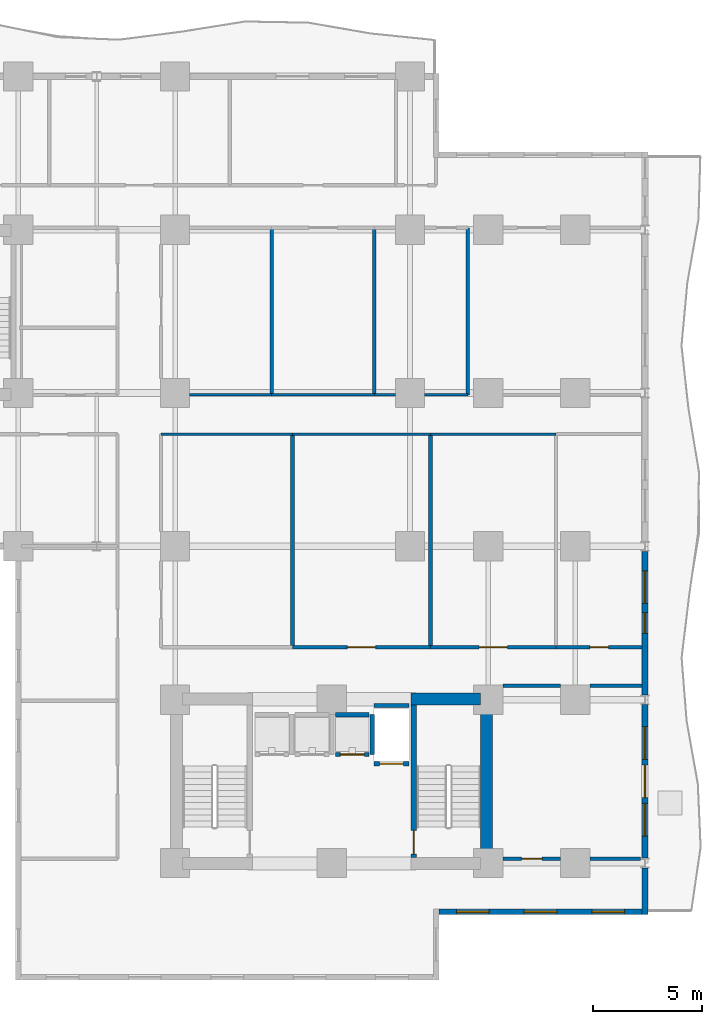
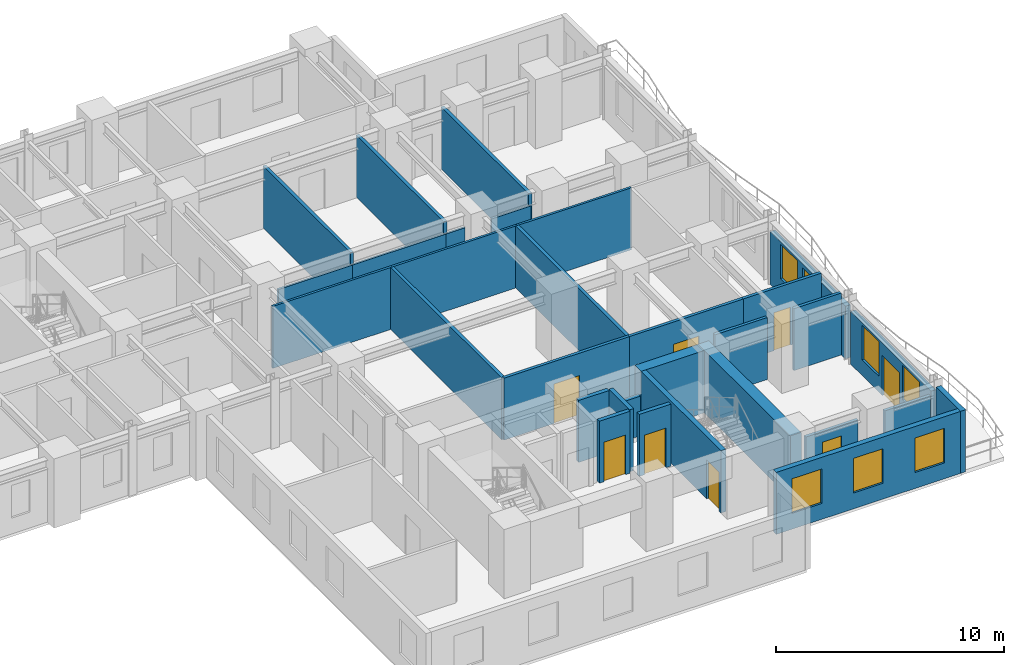
# One storey, part 5 of 12: 31 walls, 8 doors, 7 windows, 15 openings.
"""IFC4 building model written with IfcOpenShell, lengths in metres."""

from ifc_helpers import new_model, si_unit, direction, frame, frame_2d, origin, place, context, subcontext, project, spatial, rectangle, extrude, material, layer, layer_set, type_object, element, fill, save


model = new_model("IFC4")

# Units and contexts
model_context = context("Model", 3, precision=1e-05, world=origin(), true_north=direction((0.0, 1.0)))
body_context = subcontext(model_context, "Body", "Model", "MODEL_VIEW")
ifc_project = project(units=[si_unit("LENGTHUNIT", "METRE"), si_unit("AREAUNIT", "SQUARE_METRE"), si_unit("VOLUMEUNIT", "CUBIC_METRE"), si_unit("PLANEANGLEUNIT", "RADIAN"), si_unit("MASSUNIT", "GRAM", prefix="KILO")], contexts=[model_context])

# Site, building, storey
site_placement = place(None, origin())
site = spatial("IfcSite", under=ifc_project, at=site_placement, CompositionType="ELEMENT")
building_placement = place(site_placement, origin())
building = spatial("IfcBuilding", under=site, at=building_placement, Name="Kaliganga Portal Commons", CompositionType="ELEMENT")
storey_placement = place(building_placement, frame((0.0, 0.0, 69.699951171875)))
storey = spatial("IfcBuildingStorey", under=building, at=storey_placement, Name="L17", CompositionType="ELEMENT", Elevation=69.699951171875)

# Walls
ifc_material_1 = material(Name="Concrete C60/75", Category="concrete")
ifc_layer_1 = layer(ifc_material_1, 0.550048828125)
ifc_layer_set_1 = layer_set([ifc_layer_1], Name="Concrete C60/75")
wall_type_1 = type_object("IfcWallType", Name="WL-CORE-550", PredefinedType="SHEAR", material=ifc_layer_set_1)
wall_1_placement = place(storey_placement, frame((50.324951171875, 6.75, 0.0), z_axis=(0.0, 0.0, 1.0), x_axis=(0.0, 1.0, 0.0)))
element("IfcWall", 1, at=wall_1_placement, inside=storey, type_object=wall_type_1, Name="Core B East Shear Wall L17", PredefinedType="SHEAR", context=body_context, shape_type="SweptSolid", body=[
    extrude(rectangle(XDim=8.10009765625, YDim=0.550048828125, at=frame_2d((4.050048828125, 0.0))), origin(), (0.0, 0.0, 1.0), 3.340087890625),
])
wall_2_placement = place(storey_placement, frame((46.85009765625, 14.574951171875, 0.0), z_axis=(0.0, 0.0, 1.0), x_axis=(1.0, 0.0, 0.0)))
element("IfcWall", 2, at=wall_2_placement, inside=storey, type_object=wall_type_1, Name="Core B N-East Shear Wall L17", PredefinedType="SHEAR", context=body_context, shape_type="SweptSolid", body=[
    extrude(rectangle(XDim=3.199951171875, YDim=0.550048828125, at=frame_2d((1.60009765625, 0.0))), origin(), (0.0, 0.0, 1.0), 3.340087890625),
])

# Wall, openings, windows
ifc_material_2 = material(Name="Insulated Aluminium-Clad Spandrel Assembly", Category="aluminium")
ifc_layer_2 = layer(ifc_material_2, 0.260009765625)
ifc_layer_set_2 = layer_set([ifc_layer_2], Name="Insulated Aluminium-Clad Spandrel Assembly")
wall_type_2 = type_object("IfcWallType", Name="WL-EXT-SPAND-260", PredefinedType="STANDARD", material=ifc_layer_set_2)
wall_3_placement = place(storey_placement, frame((57.465087890625, 4.800048828125, 0.0), z_axis=(0.0, 0.0, 1.0), x_axis=(-1.0, 0.0, 0.0)))
wall_3 = element("IfcWall", 3, at=wall_3_placement, inside=storey, type_object=wall_type_2, Name="Exterior Envelope Wall L17 P1-E02-S1", PredefinedType="STANDARD", context=body_context, shape_type="SweptSolid", body=[
    extrude(rectangle(XDim=9.330078125, YDim=0.260009765625, at=frame_2d((4.6650390625, 0.0))), origin(), (0.0, 0.0, 1.0), 3.320068359375),
])
opening_1_placement = place(wall_3_placement, frame((0.804931640625, 0.0, 0.85009765625)))
opening_1 = element("IfcOpeningElement", 4, at=opening_1_placement, cuts=wall_3, Name="Opening W-02", PredefinedType="OPENING", context=body_context, shape_type="SweptSolid", body=[
    extrude(rectangle(XDim=1.5, YDim=1.85009765625, at=frame_2d((0.75, 0.925048828125))), frame((0.0, 0.14013671875, 0.0), z_axis=(0.0, -1.0, 0.0), x_axis=(1.0, 0.0, 0.0)), (0.0, 0.0, 1.0), 0.280029296875),
])
opening_2_placement = place(wall_3_placement, frame((3.9150390625, 0.0, 0.85009765625)))
opening_2 = element("IfcOpeningElement", 5, at=opening_2_placement, cuts=wall_3, Name="Opening W-02", PredefinedType="OPENING", context=body_context, shape_type="SweptSolid", body=[
    extrude(rectangle(XDim=1.5, YDim=1.85009765625, at=frame_2d((0.75, 0.925048828125))), frame((0.0, 0.14013671875, 0.0), z_axis=(0.0, -1.0, 0.0), x_axis=(1.0, 0.0, 0.0)), (0.0, 0.0, 1.0), 0.280029296875),
])
opening_3_placement = place(wall_3_placement, frame((7.02490234375, 0.0, 0.85009765625)))
opening_3 = element("IfcOpeningElement", 6, at=opening_3_placement, cuts=wall_3, Name="Opening W-02", PredefinedType="OPENING", context=body_context, shape_type="SweptSolid", body=[
    extrude(rectangle(XDim=1.5, YDim=1.85009765625, at=frame_2d((0.75, 0.925048828125))), frame((0.0, 0.14013671875, 0.0), z_axis=(0.0, -1.0, 0.0), x_axis=(1.0, 0.0, 0.0)), (0.0, 0.0, 1.0), 0.280029296875),
])
ifc_material_3 = material(Name="Thermally Broken Aluminium and Low-E Double Glazing", Category="aluminium")
window_type_1 = type_object("IfcWindowType", Name="WIN-STD-1500", PartitioningType="DOUBLE_PANEL_VERTICAL", PredefinedType="WINDOW", material=ifc_material_3)
window_1_placement = place(opening_1_placement, origin())
window_1 = element("IfcWindow", 7, at=window_1_placement, inside=storey, type_object=window_type_1, Name="Facade Window L17-P1E02S1-00", OverallHeight=1.85009765625, OverallWidth=1.5, PartitioningType="SINGLE_PANEL", PredefinedType="WINDOW", context=body_context, shape_type="SweptSolid", body=[
    extrude(rectangle(XDim=1.5, YDim=1.85009765625, at=frame_2d((0.75, 0.925048828125))), frame((0.0, 0.030029296875, 0.0), z_axis=(0.0, -1.0, 0.0), x_axis=(1.0, 0.0, 0.0)), (0.0, 0.0, 1.0), 0.06005859375),
])
fill(opening_1, window_1)
window_2_placement = place(opening_2_placement, origin())
window_2 = element("IfcWindow", 8, at=window_2_placement, inside=storey, type_object=window_type_1, Name="Facade Window L17-P1E02S1-01", OverallHeight=1.85009765625, OverallWidth=1.5, PartitioningType="SINGLE_PANEL", PredefinedType="WINDOW", context=body_context, shape_type="SweptSolid", body=[
    extrude(rectangle(XDim=1.5, YDim=1.85009765625, at=frame_2d((0.75, 0.925048828125))), frame((0.0, 0.030029296875, 0.0), z_axis=(0.0, -1.0, 0.0), x_axis=(1.0, 0.0, 0.0)), (0.0, 0.0, 1.0), 0.06005859375),
])
fill(opening_2, window_2)
window_3_placement = place(opening_3_placement, origin())
window_3 = element("IfcWindow", 9, at=window_3_placement, inside=storey, type_object=window_type_1, Name="Facade Window L17-P1E02S1-02", OverallHeight=1.85009765625, OverallWidth=1.5, PartitioningType="SINGLE_PANEL", PredefinedType="WINDOW", context=body_context, shape_type="SweptSolid", body=[
    extrude(rectangle(XDim=1.5, YDim=1.85009765625, at=frame_2d((0.75, 0.925048828125))), frame((0.0, 0.030029296875, 0.0), z_axis=(0.0, -1.0, 0.0), x_axis=(1.0, 0.0, 0.0)), (0.0, 0.0, 1.0), 0.06005859375),
])
fill(opening_3, window_3)

# Wall
wall_4_placement = place(storey_placement, frame((57.60009765625, 6.825927734375, 0.0), z_axis=(0.0, 0.0, 1.0), x_axis=(0.0, -1.0, 0.0)))
element("IfcWall", 10, at=wall_4_placement, inside=storey, type_object=wall_type_2, Name="Exterior Envelope Wall L17 P1-E03-S1", PredefinedType="STANDARD", context=body_context, shape_type="SweptSolid", body=[
    extrude(rectangle(XDim=2.156005859375, YDim=0.260009765625, at=frame_2d((1.078125, 0.0))), origin(), (0.0, 0.0, 1.0), 3.320068359375),
])

# Wall, openings, door, windows
wall_5_placement = place(storey_placement, frame((57.60009765625, 14.325927734375, 0.0), z_axis=(0.0, 0.0, 1.0), x_axis=(0.0, -1.0, 0.0)))
wall_5 = element("IfcWall", 11, at=wall_5_placement, inside=storey, type_object=wall_type_2, Name="Exterior Envelope Wall L17 P1-E03-S2", PredefinedType="STANDARD", context=body_context, shape_type="SweptSolid", body=[
    extrude(rectangle(XDim=7.052001953125, YDim=0.260009765625, at=frame_2d((3.52587890625, 0.0))), origin(), (0.0, 0.0, 1.0), 2.820068359375),
])
opening_4_placement = place(wall_5_placement, frame((2.77587890625, 0.0, 0.0)))
opening_4 = element("IfcOpeningElement", 12, at=opening_4_placement, cuts=wall_5, Name="Opening BD-01", PredefinedType="OPENING", context=body_context, shape_type="SweptSolid", body=[
    extrude(rectangle(XDim=1.5, YDim=2.14990234375, at=frame_2d((0.75, 1.074951171875))), frame((0.0, 0.14013671875, 0.0), z_axis=(0.0, -1.0, 0.0), x_axis=(1.0, 0.0, 0.0)), (0.0, 0.0, 1.0), 0.280029296875),
])
opening_5_placement = place(wall_5_placement, frame((1.012939453125, 0.0, 0.85009765625)))
opening_5 = element("IfcOpeningElement", 13, at=opening_5_placement, cuts=wall_5, Name="Opening W-02", PredefinedType="OPENING", context=body_context, shape_type="SweptSolid", body=[
    extrude(rectangle(XDim=1.5, YDim=1.85009765625, at=frame_2d((0.75, 0.925048828125))), frame((0.0, 0.14013671875, 0.0), z_axis=(0.0, -1.0, 0.0), x_axis=(1.0, 0.0, 0.0)), (0.0, 0.0, 1.0), 0.280029296875),
])
opening_6_placement = place(wall_5_placement, frame((4.5390625, 0.0, 0.85009765625)))
opening_6 = element("IfcOpeningElement", 14, at=opening_6_placement, cuts=wall_5, Name="Opening W-02", PredefinedType="OPENING", context=body_context, shape_type="SweptSolid", body=[
    extrude(rectangle(XDim=1.5, YDim=1.85009765625, at=frame_2d((0.75, 0.925048828125))), frame((0.0, 0.14013671875, 0.0), z_axis=(0.0, -1.0, 0.0), x_axis=(1.0, 0.0, 0.0)), (0.0, 0.0, 1.0), 0.280029296875),
])
ifc_material_4 = material(Name="Anodized Aluminium and Laminated Safety Glass", Category="aluminium")
door_type_1 = type_object("IfcDoorType", Name="DR-BALC-1500", OperationType="SLIDING_TO_LEFT", PredefinedType="DOOR", material=ifc_material_4)
door_1_placement = place(opening_4_placement, origin())
door_1 = element("IfcDoor", 15, at=door_1_placement, inside=storey, type_object=door_type_1, Name="Balcony Sliding Door L17 balc_east", OperationType="SLIDING_TO_LEFT", OverallHeight=2.14990234375, OverallWidth=1.5, PredefinedType="DOOR", context=body_context, shape_type="SweptSolid", body=[
    extrude(rectangle(XDim=1.5, YDim=2.14990234375, at=frame_2d((0.75, 1.074951171875))), frame((0.0, 0.02490234375, 0.0), z_axis=(0.0, -1.0, 0.0), x_axis=(1.0, 0.0, 0.0)), (0.0, 0.0, 1.0), 0.050048828125),
])
fill(opening_4, door_1)
window_4_placement = place(opening_5_placement, origin())
window_4 = element("IfcWindow", 16, at=window_4_placement, inside=storey, type_object=window_type_1, Name="Facade Window L17-P1E03S2-00", OverallHeight=1.85009765625, OverallWidth=1.5, PartitioningType="SINGLE_PANEL", PredefinedType="WINDOW", context=body_context, shape_type="SweptSolid", body=[
    extrude(rectangle(XDim=1.5, YDim=1.85009765625, at=frame_2d((0.75, 0.925048828125))), frame((0.0, 0.030029296875, 0.0), z_axis=(0.0, -1.0, 0.0), x_axis=(1.0, 0.0, 0.0)), (0.0, 0.0, 1.0), 0.06005859375),
])
fill(opening_5, window_4)
window_5_placement = place(opening_6_placement, origin())
window_5 = element("IfcWindow", 17, at=window_5_placement, inside=storey, type_object=window_type_1, Name="Facade Window L17-P1E03S2-01", OverallHeight=1.85009765625, OverallWidth=1.5, PartitioningType="SINGLE_PANEL", PredefinedType="WINDOW", context=body_context, shape_type="SweptSolid", body=[
    extrude(rectangle(XDim=1.5, YDim=1.85009765625, at=frame_2d((0.75, 0.925048828125))), frame((0.0, 0.030029296875, 0.0), z_axis=(0.0, -1.0, 0.0), x_axis=(1.0, 0.0, 0.0)), (0.0, 0.0, 1.0), 0.06005859375),
])
fill(opening_6, window_5)

# Wall, openings, windows
wall_6_placement = place(storey_placement, frame((57.60009765625, 21.3759765625, 0.0), z_axis=(0.0, 0.0, 1.0), x_axis=(0.0, -1.0, 0.0)))
wall_6 = element("IfcWall", 18, at=wall_6_placement, inside=storey, type_object=wall_type_2, Name="Exterior Envelope Wall L17 P1-E03-S3", PredefinedType="STANDARD", context=body_context, shape_type="SweptSolid", body=[
    extrude(rectangle(XDim=6.60205078125, YDim=0.260009765625, at=frame_2d((3.301025390625, 0.0))), origin(), (0.0, 0.0, 1.0), 2.820068359375),
])
opening_7_placement = place(wall_6_placement, frame((0.900390625, 0.0, 0.85009765625)))
opening_7 = element("IfcOpeningElement", 19, at=opening_7_placement, cuts=wall_6, Name="Opening W-02", PredefinedType="OPENING", context=body_context, shape_type="SweptSolid", body=[
    extrude(rectangle(XDim=1.5, YDim=1.85009765625, at=frame_2d((0.75, 0.925048828125))), frame((0.0, 0.14013671875, 0.0), z_axis=(0.0, -1.0, 0.0), x_axis=(1.0, 0.0, 0.0)), (0.0, 0.0, 1.0), 0.280029296875),
])
opening_8_placement = place(wall_6_placement, frame((2.825927734375, 0.0, 0.85009765625)))
opening_8 = element("IfcOpeningElement", 20, at=opening_8_placement, cuts=wall_6, Name="Opening W-04", PredefinedType="OPENING", context=body_context, shape_type="SweptSolid", body=[
    extrude(rectangle(XDim=0.949951171875, YDim=1.75, at=frame_2d((0.47509765625, 0.875))), frame((0.0, 0.14013671875, 0.0), z_axis=(0.0, -1.0, 0.0), x_axis=(1.0, 0.0, 0.0)), (0.0, 0.0, 1.0), 0.280029296875),
])
window_type_2 = type_object("IfcWindowType", Name="WIN-NARROW-950", PartitioningType="SINGLE_PANEL", PredefinedType="WINDOW", material=ifc_material_3)
window_6_placement = place(opening_8_placement, origin())
window_6 = element("IfcWindow", 21, at=window_6_placement, inside=storey, type_object=window_type_2, Name="Facade Window L17-P1E03S3-N0", OverallHeight=1.75, OverallWidth=0.949951171875, PartitioningType="SINGLE_PANEL", PredefinedType="WINDOW", context=body_context, shape_type="SweptSolid", body=[
    extrude(rectangle(XDim=0.949951171875, YDim=1.75, at=frame_2d((0.47509765625, 0.875))), frame((0.0, 0.030029296875, 0.0), z_axis=(0.0, -1.0, 0.0), x_axis=(1.0, 0.0, 0.0)), (0.0, 0.0, 1.0), 0.06005859375),
])
fill(opening_8, window_6)
window_7_placement = place(opening_7_placement, origin())
window_7 = element("IfcWindow", 22, at=window_7_placement, inside=storey, type_object=window_type_1, Name="Facade Window L17-P1E03S3-00", OverallHeight=1.85009765625, OverallWidth=1.5, PartitioningType="SINGLE_PANEL", PredefinedType="WINDOW", context=body_context, shape_type="SweptSolid", body=[
    extrude(rectangle(XDim=1.5, YDim=1.85009765625, at=frame_2d((0.75, 0.925048828125))), frame((0.0, 0.030029296875, 0.0), z_axis=(0.0, -1.0, 0.0), x_axis=(1.0, 0.0, 0.0)), (0.0, 0.0, 1.0), 0.06005859375),
])
fill(opening_7, window_7)

# Wall, opening, door
ifc_material_5 = material(Name="Fire-Rated Gypsum Board on Steel Stud", Category="steel")
ifc_layer_3 = layer(ifc_material_5, 0.14990234375)
ifc_layer_set_3 = layer_set([ifc_layer_3], Name="Fire-Rated Gypsum Board on Steel Stud")
wall_type_3 = type_object("IfcWallType", Name="WL-PART-CORR-150", PredefinedType="PARTITIONING", material=ifc_layer_set_3)
wall_7_placement = place(storey_placement, frame((51.074951171875, 7.239990234375, 0.0), z_axis=(0.0, 0.0, 1.0), x_axis=(1.0, 0.0, 0.0)))
wall_7 = element("IfcWall", 23, at=wall_7_placement, inside=storey, type_object=wall_type_3, Name="Interior Partition L17-015", PredefinedType="PARTITIONING", context=body_context, shape_type="SweptSolid", body=[
    extrude(rectangle(XDim=2.650146484375, YDim=0.14990234375, at=frame_2d((1.3251953125, 0.0))), origin(), (0.0, 0.0, 1.0), 2.670166015625),
])
opening_9_placement = place(wall_7_placement, frame((0.85009765625, 0.0, 0.0)))
opening_9 = element("IfcOpeningElement", 24, at=opening_9_placement, cuts=wall_7, Name="Opening UD-01", PredefinedType="OPENING", context=body_context, shape_type="SweptSolid", body=[
    extrude(rectangle(XDim=0.949951171875, YDim=2.10009765625, at=frame_2d((0.47509765625, 1.050048828125))), frame((0.0, 0.0849609375, 0.0), z_axis=(0.0, -1.0, 0.0), x_axis=(1.0, 0.0, 0.0)), (0.0, 0.0, 1.0), 0.169921875),
])
ifc_material_6 = material(Name="Solid-Core Timber Acoustic Fire Door", Category="wood")
door_type_2 = type_object("IfcDoorType", Name="DR-UNIT-950", OperationType="NOTDEFINED", PredefinedType="DOOR", material=ifc_material_6)
door_2_placement = place(opening_9_placement, origin())
door_2 = element("IfcDoor", 25, at=door_2_placement, inside=storey, type_object=door_type_2, Name="Interior Door L17-BE01", OperationType="SINGLE_SWING_RIGHT", OverallHeight=2.10009765625, OverallWidth=0.949951171875, PredefinedType="DOOR", context=body_context, shape_type="SweptSolid", body=[
    extrude(rectangle(XDim=0.949951171875, YDim=2.10009765625, at=frame_2d((0.47509765625, 1.050048828125))), frame((0.0, 0.02490234375, 0.0), z_axis=(0.0, -1.0, 0.0), x_axis=(1.0, 0.0, 0.0)), (0.0, 0.0, 1.0), 0.050048828125),
])
fill(opening_9, door_2)

# Walls
wall_8_placement = place(storey_placement, frame((55.074951171875, 7.239990234375, 0.0), z_axis=(0.0, 0.0, 1.0), x_axis=(1.0, 0.0, 0.0)))
element("IfcWall", 26, at=wall_8_placement, inside=storey, type_object=wall_type_3, Name="Interior Partition L17-016", PredefinedType="PARTITIONING", context=body_context, shape_type="SweptSolid", body=[
    extrude(rectangle(XDim=2.317138671875, YDim=0.14990234375, at=frame_2d((1.15869140625, 0.0))), origin(), (0.0, 0.0, 1.0), 2.670166015625),
])
wall_9_placement = place(storey_placement, frame((51.074951171875, 15.199951171875, 0.0), z_axis=(0.0, 0.0, 1.0), x_axis=(1.0, 0.0, 0.0)))
element("IfcWall", 27, at=wall_9_placement, inside=storey, type_object=wall_type_3, Name="Interior Partition L17-017", PredefinedType="PARTITIONING", context=body_context, shape_type="SweptSolid", body=[
    extrude(rectangle(XDim=2.650146484375, YDim=0.14990234375, at=frame_2d((1.3251953125, 0.0))), origin(), (0.0, 0.0, 1.0), 3.320068359375),
])
wall_10_placement = place(storey_placement, frame((55.074951171875, 15.199951171875, 0.0), z_axis=(0.0, 0.0, 1.0), x_axis=(1.0, 0.0, 0.0)))
element("IfcWall", 28, at=wall_10_placement, inside=storey, type_object=wall_type_3, Name="Interior Partition L17-018", PredefinedType="PARTITIONING", context=body_context, shape_type="SweptSolid", body=[
    extrude(rectangle(XDim=2.39306640625, YDim=0.14990234375, at=frame_2d((1.196533203125, 0.0))), origin(), (0.0, 0.0, 1.0), 3.320068359375),
])

# Wall, opening, door
wall_11_placement = place(storey_placement, frame((41.39990234375, 16.9599609375, 0.0), z_axis=(0.0, 0.0, 1.0), x_axis=(1.0, 0.0, 0.0)))
wall_11 = element("IfcWall", 29, at=wall_11_placement, inside=storey, type_object=wall_type_3, Name="Interior Partition L17-019", PredefinedType="PARTITIONING", context=body_context, shape_type="SweptSolid", body=[
    extrude(rectangle(XDim=6.340087890625, YDim=0.14990234375, at=frame_2d((3.169921875, 0.0))), origin(), (0.0, 0.0, 1.0), 3.320068359375),
])
opening_10_placement = place(wall_11_placement, frame((2.52001953125, 0.0, 0.0)))
opening_10 = element("IfcOpeningElement", 30, at=opening_10_placement, cuts=wall_11, Name="Opening RD-03", PredefinedType="OPENING", context=body_context, shape_type="SweptSolid", body=[
    extrude(rectangle(XDim=1.300048828125, YDim=2.1201171875, at=frame_2d((0.64990234375, 1.06005859375))), frame((0.0, 0.0849609375, 0.0), z_axis=(0.0, -1.0, 0.0), x_axis=(1.0, 0.0, 0.0)), (0.0, 0.0, 1.0), 0.169921875),
])
ifc_material_7 = material(Name="Glazed Timber Seminar Vision Door", Category="wood")
door_type_3 = type_object("IfcDoorType", Name="DR-STUDY-1300", OperationType="DOUBLE_DOOR_SINGLE_SWING", PredefinedType="DOOR", material=ifc_material_7)
door_3_placement = place(opening_10_placement, origin())
door_3 = element("IfcDoor", 31, at=door_3_placement, inside=storey, type_object=door_type_3, Name="Interior Door L17-BM02", OperationType="DOUBLE_DOOR_SINGLE_SWING", OverallHeight=2.1201171875, OverallWidth=1.300048828125, PredefinedType="DOOR", context=body_context, shape_type="SweptSolid", body=[
    extrude(rectangle(XDim=1.300048828125, YDim=2.1201171875, at=frame_2d((0.64990234375, 1.06005859375))), frame((0.0, 0.02490234375, 0.0), z_axis=(0.0, -1.0, 0.0), x_axis=(1.0, 0.0, 0.0)), (0.0, 0.0, 1.0), 0.050048828125),
])
fill(opening_10, door_3)

wall_12_placement = place(storey_placement, frame((47.739990234375, 16.9599609375, 0.0), z_axis=(0.0, 0.0, 1.0), x_axis=(1.0, 0.0, 0.0)))
wall_12 = element("IfcWall", 32, at=wall_12_placement, inside=storey, type_object=wall_type_3, Name="Interior Partition L17-023", PredefinedType="PARTITIONING", context=body_context, shape_type="SweptSolid", body=[
    extrude(rectangle(XDim=5.780029296875, YDim=0.14990234375, at=frame_2d((2.89013671875, 0.0))), origin(), (0.0, 0.0, 1.0), 3.320068359375),
])
opening_11_placement = place(wall_12_placement, frame((2.239990234375, 0.0, 0.0)))
opening_11 = element("IfcOpeningElement", 33, at=opening_11_placement, cuts=wall_12, Name="Opening RD-03", PredefinedType="OPENING", context=body_context, shape_type="SweptSolid", body=[
    extrude(rectangle(XDim=1.300048828125, YDim=2.1201171875, at=frame_2d((0.64990234375, 1.06005859375))), frame((0.0, 0.0849609375, 0.0), z_axis=(0.0, -1.0, 0.0), x_axis=(1.0, 0.0, 0.0)), (0.0, 0.0, 1.0), 0.169921875),
])
door_4_placement = place(opening_11_placement, origin())
door_4 = element("IfcDoor", 34, at=door_4_placement, inside=storey, type_object=door_type_3, Name="Interior Door L17-BM03", OperationType="DOUBLE_DOOR_SINGLE_SWING", OverallHeight=2.1201171875, OverallWidth=1.300048828125, PredefinedType="DOOR", context=body_context, shape_type="SweptSolid", body=[
    extrude(rectangle(XDim=1.300048828125, YDim=2.1201171875, at=frame_2d((0.64990234375, 1.06005859375))), frame((0.0, 0.02490234375, 0.0), z_axis=(0.0, -1.0, 0.0), x_axis=(1.0, 0.0, 0.0)), (0.0, 0.0, 1.0), 0.050048828125),
])
fill(opening_11, door_4)

wall_13_placement = place(storey_placement, frame((53.52001953125, 16.9599609375, 0.0), z_axis=(0.0, 0.0, 1.0), x_axis=(1.0, 0.0, 0.0)))
wall_13 = element("IfcWall", 35, at=wall_13_placement, inside=storey, type_object=wall_type_3, Name="Interior Partition L17-038", PredefinedType="PARTITIONING", context=body_context, shape_type="SweptSolid", body=[
    extrude(rectangle(XDim=3.947998046875, YDim=0.14990234375, at=frame_2d((1.97412109375, 0.0))), origin(), (0.0, 0.0, 1.0), 3.320068359375),
])
opening_12_placement = place(wall_13_placement, frame((1.549072265625, 0.0, 0.0)))
opening_12 = element("IfcOpeningElement", 36, at=opening_12_placement, cuts=wall_13, Name="Opening WD-01", PredefinedType="OPENING", context=body_context, shape_type="SweptSolid", body=[
    extrude(rectangle(XDim=0.85009765625, YDim=2.0400390625, at=frame_2d((0.425048828125, 1.02001953125))), frame((0.0, 0.0849609375, 0.0), z_axis=(0.0, -1.0, 0.0), x_axis=(1.0, 0.0, 0.0)), (0.0, 0.0, 1.0), 0.169921875),
])
ifc_material_8 = material(Name="Moisture-Resistant Laminate Timber Door", Category="wood")
door_type_4 = type_object("IfcDoorType", Name="DR-WET-850", OperationType="NOTDEFINED", PredefinedType="DOOR", material=ifc_material_8)
door_5_placement = place(opening_12_placement, origin())
door_5 = element("IfcDoor", 37, at=door_5_placement, inside=storey, type_object=door_type_4, Name="Interior Door L17-BM04", OperationType="SINGLE_SWING_RIGHT", OverallHeight=2.0400390625, OverallWidth=0.85009765625, PredefinedType="DOOR", context=body_context, shape_type="SweptSolid", body=[
    extrude(rectangle(XDim=0.85009765625, YDim=2.0400390625, at=frame_2d((0.425048828125, 1.02001953125))), frame((0.0, 0.02490234375, 0.0), z_axis=(0.0, -1.0, 0.0), x_axis=(1.0, 0.0, 0.0)), (0.0, 0.0, 1.0), 0.050048828125),
])
fill(opening_12, door_5)

# Walls
ifc_material_9 = material(Name="Moisture-Resistant Gypsum Partition", Category="gypsum")
ifc_layer_4 = layer(ifc_material_9, 0.114990234375)
ifc_layer_set_4 = layer_set([ifc_layer_4], Name="Moisture-Resistant Gypsum Partition")
wall_type_4 = type_object("IfcWallType", Name="WL-PART-ROOM-115", PredefinedType="PARTITIONING", material=ifc_layer_set_4)
wall_14_placement = place(storey_placement, frame((41.39990234375, 26.760009765625, 0.0), z_axis=(0.0, 0.0, 1.0), x_axis=(1.0, 0.0, 0.0)))
element("IfcWall", 38, at=wall_14_placement, inside=storey, type_object=wall_type_4, Name="Interior Partition L17-056", PredefinedType="PARTITIONING", context=body_context, shape_type="SweptSolid", body=[
    extrude(rectangle(XDim=6.340087890625, YDim=0.114990234375, at=frame_2d((3.169921875, 0.0))), origin(), (0.0, 0.0, 1.0), 3.320068359375),
])
wall_15_placement = place(storey_placement, frame((35.360107421875, 26.760009765625, 0.0), z_axis=(0.0, 0.0, 1.0), x_axis=(1.0, 0.0, 0.0)))
element("IfcWall", 39, at=wall_15_placement, inside=storey, type_object=wall_type_4, Name="Interior Partition L17-057", PredefinedType="PARTITIONING", context=body_context, shape_type="SweptSolid", body=[
    extrude(rectangle(XDim=6.039794921875, YDim=0.114990234375, at=frame_2d((3.02001953125, 0.0))), origin(), (0.0, 0.0, 1.0), 3.320068359375),
])
wall_16_placement = place(storey_placement, frame((47.739990234375, 26.760009765625, 0.0), z_axis=(0.0, 0.0, 1.0), x_axis=(1.0, 0.0, 0.0)))
element("IfcWall", 40, at=wall_16_placement, inside=storey, type_object=wall_type_4, Name="Interior Partition L17-058", PredefinedType="PARTITIONING", context=body_context, shape_type="SweptSolid", body=[
    extrude(rectangle(XDim=5.780029296875, YDim=0.114990234375, at=frame_2d((2.89013671875, 0.0))), origin(), (0.0, 0.0, 1.0), 3.320068359375),
])
wall_17_placement = place(storey_placement, frame((36.675048828125, 28.56005859375, 0.0), z_axis=(0.0, 0.0, 1.0), x_axis=(1.0, 0.0, 0.0)))
element("IfcWall", 41, at=wall_17_placement, inside=storey, type_object=wall_type_4, Name="Interior Partition L17-062", PredefinedType="PARTITIONING", context=body_context, shape_type="SweptSolid", body=[
    extrude(rectangle(XDim=3.764892578125, YDim=0.114990234375, at=frame_2d((1.88232421875, 0.0))), origin(), (0.0, 0.0, 1.0), 2.670166015625),
])
wall_18_placement = place(storey_placement, frame((40.43994140625, 28.56005859375, 0.0), z_axis=(0.0, 0.0, 1.0), x_axis=(1.0, 0.0, 0.0)))
element("IfcWall", 42, at=wall_18_placement, inside=storey, type_object=wall_type_4, Name="Interior Partition L17-073", PredefinedType="PARTITIONING", context=body_context, shape_type="SweptSolid", body=[
    extrude(rectangle(XDim=4.719970703125, YDim=0.114990234375, at=frame_2d((2.35986328125, 0.0))), origin(), (0.0, 0.0, 1.0), 2.670166015625),
])
wall_19_placement = place(storey_placement, frame((45.159912109375, 28.56005859375, 0.0), z_axis=(0.0, 0.0, 1.0), x_axis=(1.0, 0.0, 0.0)))
element("IfcWall", 43, at=wall_19_placement, inside=storey, type_object=wall_type_4, Name="Interior Partition L17-077", PredefinedType="PARTITIONING", context=body_context, shape_type="SweptSolid", body=[
    extrude(rectangle(XDim=0.965087890625, YDim=0.114990234375, at=frame_2d((0.482421875, 0.0))), origin(), (0.0, 0.0, 1.0), 2.670166015625),
])
wall_20_placement = place(storey_placement, frame((47.47509765625, 28.56005859375, 0.0), z_axis=(0.0, 0.0, 1.0), x_axis=(1.0, 0.0, 0.0)))
element("IfcWall", 44, at=wall_20_placement, inside=storey, type_object=wall_type_4, Name="Interior Partition L17-078", PredefinedType="PARTITIONING", context=body_context, shape_type="SweptSolid", body=[
    extrude(rectangle(XDim=1.98486328125, YDim=0.114990234375, at=frame_2d((0.992431640625, 0.0))), origin(), (0.0, 0.0, 1.0), 2.670166015625),
])
ifc_material_10 = material(Name="Twin-Stud Acoustic Gypsum Partition", Category="gypsum")
ifc_layer_5 = layer(ifc_material_10, 0.1650390625)
ifc_layer_set_5 = layer_set([ifc_layer_5], Name="Twin-Stud Acoustic Gypsum Partition")
wall_type_5 = type_object("IfcWallType", Name="WL-PART-UNIT-165", PredefinedType="PARTITIONING", material=ifc_layer_set_5)
for number, where, z_axis, x_axis, name in (
    (45, (41.39990234375, 16.9599609375, 0.0), (0.0, 0.0, 1.0), (0.0, 1.0, 0.0), "Interior Partition L17-048"),
    (46, (47.739990234375, 16.9599609375, 0.0), (0.0, 0.0, 1.0), (0.0, 1.0, 0.0), "Interior Partition L17-049"),
):
    element("IfcWall", number, at=place(storey_placement, frame(where, z_axis=z_axis, x_axis=x_axis)), inside=storey, type_object=wall_type_5, Name=name, PredefinedType="PARTITIONING", context=body_context, shape_type="SweptSolid", body=[
        extrude(rectangle(XDim=9.800048828125, YDim=0.1650390625, at=frame_2d((4.89990234375, 0.0))), origin(), (0.0, 0.0, 1.0), 3.320068359375),
    ])
for number, where, z_axis, x_axis, name in (
    (47, (40.43994140625, 28.56005859375, 0.0), (0.0, 0.0, 1.0), (0.0, 1.0, 0.0), "Interior Partition L17-053"),
    (48, (45.159912109375, 28.56005859375, 0.0), (0.0, 0.0, 1.0), (0.0, 1.0, 0.0), "Interior Partition L17-054"),
    (49, (49.4599609375, 28.56005859375, 0.0), (0.0, 0.0, 1.0), (0.0, 1.0, 0.0), "Interior Partition L17-055"),
):
    element("IfcWall", number, at=place(storey_placement, frame(where, z_axis=z_axis, x_axis=x_axis)), inside=storey, type_object=wall_type_5, Name=name, PredefinedType="PARTITIONING", context=body_context, shape_type="SweptSolid", body=[
        extrude(rectangle(XDim=7.679931640625, YDim=0.1650390625, at=frame_2d((3.83984375, 0.0))), origin(), (0.0, 0.0, 1.0), 3.320068359375),
    ])

# Wall, opening, door
ifc_material_11 = material(Name="Fire-Rated Shaftwall Masonry Assembly", Category="masonry")
ifc_layer_6 = layer(ifc_material_11, 0.199951171875)
ifc_layer_set_6 = layer_set([ifc_layer_6], Name="Fire-Rated Shaftwall Masonry Assembly")
wall_type_6 = type_object("IfcWallType", Name="WL-SHAFT-200", PredefinedType="PARTITIONING", material=ifc_layer_set_6)
wall_21_placement = place(storey_placement, frame((43.375, 12.034912109375, 0.0), z_axis=(0.0, 0.0, 1.0), x_axis=(1.0, 0.0, 0.0)))
wall_21 = element("IfcWall", 50, at=wall_21_placement, inside=storey, type_object=wall_type_6, Name="Lift SH-2 Hoistway Shaft Wall L17-S", PredefinedType="PARTITIONING", context=body_context, shape_type="SweptSolid", body=[
    extrude(rectangle(XDim=1.550048828125, YDim=0.199951171875, at=frame_2d((0.77490234375, 0.0))), origin(), (0.0, 0.0, 1.0), 3.320068359375),
])
opening_13_placement = place(wall_21_placement, frame((0.22509765625, 0.0, 0.0)))
opening_13 = element("IfcOpeningElement", 51, at=opening_13_placement, cuts=wall_21, Name="Opening LD-01", PredefinedType="OPENING", context=body_context, shape_type="SweptSolid", body=[
    extrude(rectangle(XDim=1.10009765625, YDim=2.1201171875, at=frame_2d((0.550048828125, 1.06005859375))), frame((0.0, 0.10986328125, 0.0), z_axis=(0.0, -1.0, 0.0), x_axis=(1.0, 0.0, 0.0)), (0.0, 0.0, 1.0), 0.219970703125),
])
ifc_material_12 = material(Name="Brushed Stainless Steel 316 Lift Landing Door", Category="steel")
door_type_5 = type_object("IfcDoorType", Name="DR-LIFT-1100", OperationType="SLIDING_TO_LEFT", PredefinedType="DOOR", material=ifc_material_12)
door_6_placement = place(opening_13_placement, origin())
door_6 = element("IfcDoor", 52, at=door_6_placement, inside=storey, type_object=door_type_5, Name="Lift SH-2 Sliding Landing Door L17", OperationType="SLIDING_TO_LEFT", OverallHeight=2.1201171875, OverallWidth=1.10009765625, PredefinedType="DOOR", context=body_context, shape_type="SweptSolid", body=[
    extrude(rectangle(XDim=1.10009765625, YDim=2.1201171875, at=frame_2d((0.550048828125, 1.06005859375))), frame((0.0, 0.02490234375, 0.0), z_axis=(0.0, -1.0, 0.0), x_axis=(1.0, 0.0, 0.0)), (0.0, 0.0, 1.0), 0.050048828125),
])
fill(opening_13, door_6)

# Walls
wall_22_placement = place(storey_placement, frame((43.375, 13.864990234375, 0.0), z_axis=(0.0, 0.0, 1.0), x_axis=(1.0, 0.0, 0.0)))
element("IfcWall", 53, at=wall_22_placement, inside=storey, type_object=wall_type_6, Name="Lift SH-2 Hoistway Shaft Wall L17-N", PredefinedType="PARTITIONING", context=body_context, shape_type="SweptSolid", body=[
    extrude(rectangle(XDim=1.550048828125, YDim=0.199951171875, at=frame_2d((0.77490234375, 0.0))), origin(), (0.0, 0.0, 1.0), 3.320068359375),
])
wall_23_placement = place(storey_placement, frame((45.06494140625, 12.034912109375, 0.0), z_axis=(0.0, 0.0, 1.0), x_axis=(0.0, 1.0, 0.0)))
element("IfcWall", 54, at=wall_23_placement, inside=storey, type_object=wall_type_6, Name="Lift SH-2 Hoistway Shaft Wall L17-E", PredefinedType="PARTITIONING", context=body_context, shape_type="SweptSolid", body=[
    extrude(rectangle(XDim=1.830078125, YDim=0.199951171875, at=frame_2d((0.9150390625, 0.0))), origin(), (0.0, 0.0, 1.0), 3.320068359375),
])

# Wall, opening, door
wall_24_placement = place(storey_placement, frame((45.14990234375, 11.610107421875, 0.0), z_axis=(0.0, 0.0, 1.0), x_axis=(1.0, 0.0, 0.0)))
wall_24 = element("IfcWall", 55, at=wall_24_placement, inside=storey, type_object=wall_type_6, Name="Lift SL-B1 Hoistway Shaft Wall L17-S", PredefinedType="PARTITIONING", context=body_context, shape_type="SweptSolid", body=[
    extrude(rectangle(XDim=1.60009765625, YDim=0.199951171875, at=frame_2d((0.800048828125, 0.0))), origin(), (0.0, 0.0, 1.0), 3.320068359375),
])
opening_14_placement = place(wall_24_placement, frame((0.25, 0.0, 0.0)))
opening_14 = element("IfcOpeningElement", 56, at=opening_14_placement, cuts=wall_24, Name="Opening LD-01", PredefinedType="OPENING", context=body_context, shape_type="SweptSolid", body=[
    extrude(rectangle(XDim=1.10009765625, YDim=2.1201171875, at=frame_2d((0.550048828125, 1.06005859375))), frame((0.0, 0.10986328125, 0.0), z_axis=(0.0, -1.0, 0.0), x_axis=(1.0, 0.0, 0.0)), (0.0, 0.0, 1.0), 0.219970703125),
])
door_7_placement = place(opening_14_placement, origin())
door_7 = element("IfcDoor", 57, at=door_7_placement, inside=storey, type_object=door_type_5, Name="Lift SL-B1 Sliding Landing Door L17", OperationType="SLIDING_TO_LEFT", OverallHeight=2.1201171875, OverallWidth=1.10009765625, PredefinedType="DOOR", context=body_context, shape_type="SweptSolid", body=[
    extrude(rectangle(XDim=1.10009765625, YDim=2.1201171875, at=frame_2d((0.550048828125, 1.06005859375))), frame((0.0, 0.02490234375, 0.0), z_axis=(0.0, -1.0, 0.0), x_axis=(1.0, 0.0, 0.0)), (0.0, 0.0, 1.0), 0.050048828125),
])
fill(opening_14, door_7)

# Wall
wall_25_placement = place(storey_placement, frame((45.14990234375, 14.2900390625, 0.0), z_axis=(0.0, 0.0, 1.0), x_axis=(1.0, 0.0, 0.0)))
element("IfcWall", 58, at=wall_25_placement, inside=storey, type_object=wall_type_6, Name="Lift SL-B1 Hoistway Shaft Wall L17-N", PredefinedType="PARTITIONING", context=body_context, shape_type="SweptSolid", body=[
    extrude(rectangle(XDim=1.60009765625, YDim=0.199951171875, at=frame_2d((0.800048828125, 0.0))), origin(), (0.0, 0.0, 1.0), 2.1201171875),
])

# Wall, opening, door
ifc_material_13 = material(Name="Concrete C50/60", Category="concrete")
ifc_layer_7 = layer(ifc_material_13, 0.25)
ifc_layer_set_7 = layer_set([ifc_layer_7], Name="Concrete C50/60")
wall_type_7 = type_object("IfcWallType", Name="WL-STAIR-250", PredefinedType="SHEAR", material=ifc_layer_set_7)
wall_26_placement = place(storey_placement, frame((46.97509765625, 7.300048828125, 0.0), z_axis=(0.0, 0.0, 1.0), x_axis=(0.0, 1.0, 0.0)))
wall_26 = element("IfcWall", 59, at=wall_26_placement, inside=storey, type_object=wall_type_7, Name="Stair B2 Enclosure Shear Wall L17", PredefinedType="SHEAR", context=body_context, shape_type="SweptSolid", body=[
    extrude(rectangle(XDim=7.0, YDim=0.25, at=frame_2d((3.5, 0.0))), origin(), (0.0, 0.0, 1.0), 3.340087890625),
])
opening_15_placement = place(wall_26_placement, frame((0.14990234375, 0.0, 0.0)))
opening_15 = element("IfcOpeningElement", 60, at=opening_15_placement, cuts=wall_26, Name="Opening SD-01", PredefinedType="OPENING", context=body_context, shape_type="SweptSolid", body=[
    extrude(rectangle(XDim=1.10009765625, YDim=2.080078125, at=frame_2d((0.550048828125, 1.0400390625))), frame((0.0, 0.135009765625, 0.0), z_axis=(0.0, -1.0, 0.0), x_axis=(1.0, 0.0, 0.0)), (0.0, 0.0, 1.0), 0.27001953125),
])
ifc_material_14 = material(Name="Galvanized Steel Fire Door Leaf and Frame", Category="steel")
door_type_6 = type_object("IfcDoorType", Name="DR-STAIR-1100", OperationType="NOTDEFINED", PredefinedType="DOOR", material=ifc_material_14)
door_8_placement = place(opening_15_placement, origin())
door_8 = element("IfcDoor", 61, at=door_8_placement, inside=storey, type_object=door_type_6, Name="Protected Stair ST-B2 Fire Door L17", OperationType="SINGLE_SWING_RIGHT", OverallHeight=2.080078125, OverallWidth=1.10009765625, PredefinedType="DOOR", context=body_context, shape_type="SweptSolid", body=[
    extrude(rectangle(XDim=1.10009765625, YDim=2.080078125, at=frame_2d((0.550048828125, 1.0400390625))), frame((0.0, 0.02490234375, 0.0), z_axis=(0.0, -1.0, 0.0), x_axis=(1.0, 0.0, 0.0)), (0.0, 0.0, 1.0), 0.050048828125),
])
fill(opening_15, door_8)

save(model, "model.ifc")
